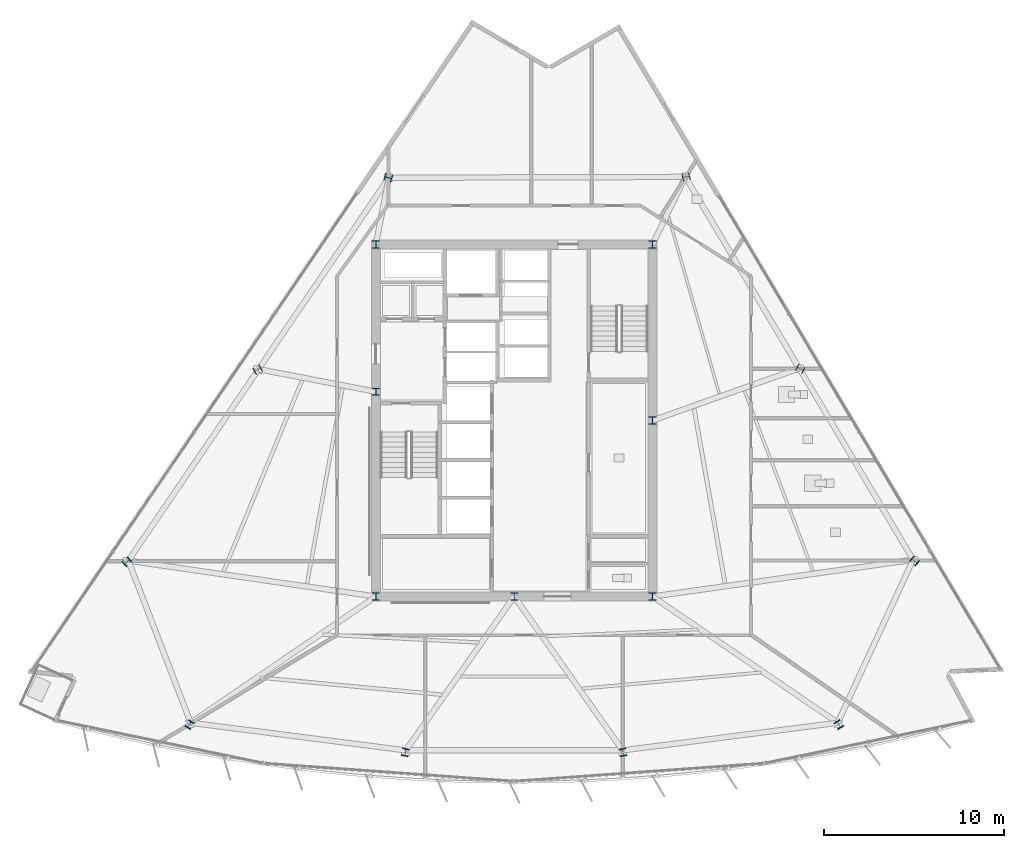
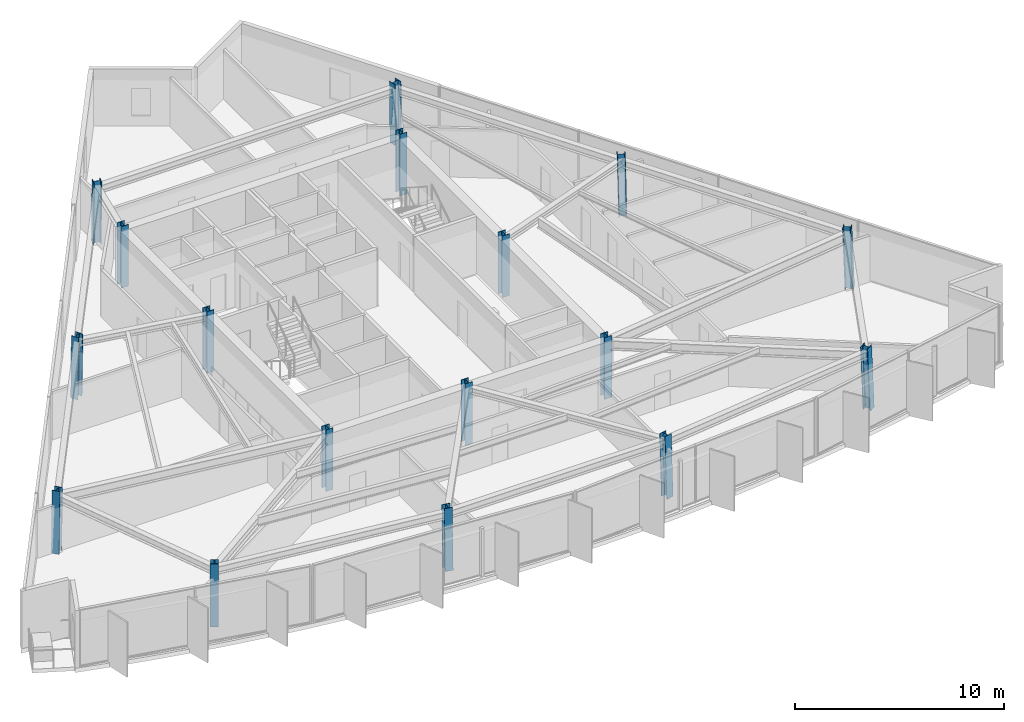
# One storey, part 1 of 15: 17 columns.
"""IFC4 building model written with IfcOpenShell, lengths in metres."""

from ifc_helpers import new_model, si_unit, direction, frame, origin, origin_2d, place, context, subcontext, project, spatial, i_section, extrude, material, material_profile, profile_set, type_object, element, save


model = new_model("IFC4")

# Units and contexts
model_context = context("Model", 3, precision=1e-05, world=origin(), true_north=direction((0.0, 1.0)))
body_context = subcontext(model_context, "Body", "Model", "MODEL_VIEW")
ifc_project = project(units=[si_unit("LENGTHUNIT", "METRE"), si_unit("AREAUNIT", "SQUARE_METRE"), si_unit("VOLUMEUNIT", "CUBIC_METRE"), si_unit("PLANEANGLEUNIT", "RADIAN"), si_unit("MASSUNIT", "GRAM", prefix="KILO")], contexts=[model_context])

# Site, building, storey
site_placement = place(None, origin())
site = spatial("IfcSite", under=ifc_project, at=site_placement, CompositionType="ELEMENT")
building_placement = place(site_placement, origin())
building = spatial("IfcBuilding", under=site, at=building_placement, Name="Savorim Split Tower", CompositionType="ELEMENT")
storey_placement = place(building_placement, frame((0.0, 0.0, 142.199951171875)))
storey = spatial("IfcBuildingStorey", under=building, at=storey_placement, Name="L37", CompositionType="ELEMENT", Elevation=142.199951171875)

# Columns
ifc_material = material(Name="Steel S460", Category="steel")
ifc_material_profile = material_profile(ifc_material, i_section(OverallWidth=0.404052734375, OverallDepth=0.406982421875, WebThickness=0.017333984375, FlangeThickness=0.028076171875, FilletRadius=0.014892578125, at=origin_2d()), Name="HD 400x347")
ifc_profile_set = profile_set([ifc_material_profile], Name="Steel S460")
column_type = type_object("IfcColumnType", Name="COL-HD-347", PredefinedType="COLUMN", material=ifc_profile_set)
for number, where, z_axis, x_axis, name in (
    (1, (-7.699951171875, -9.39990234375, 0.0), (0.0, 0.0, 1.0), (1.0, 0.0, 0.0), "L37 Core Structural Column TC-C1"),
    (2, (7.699951171875, -9.39990234375, 0.0), (0.0, 0.0, 1.0), (1.0, 0.0, 0.0), "L37 Core Structural Column TC-C2"),
    (3, (7.699951171875, 10.199951171875, 0.0), (0.0, 0.0, 1.0), (1.0, 0.0, 0.0), "L37 Core Structural Column TC-C3"),
    (4, (-7.699951171875, 10.199951171875, 0.0), (0.0, 0.0, 1.0), (1.0, 0.0, 0.0), "L37 Core Structural Column TC-C4"),
    (5, (0.0, -9.39990234375, 0.0), (0.0, 0.0, 1.0), (1.0, 0.0, 0.0), "L37 Core Structural Column TC-C5"),
    (6, (7.699951171875, 0.39990234375, 0.0), (0.0, 0.0, 1.0), (1.0, 0.0, 0.0), "L37 Core Structural Column TC-C6"),
    (7, (-7.699951171875, 2.0, 0.0), (0.0, 0.0, 1.0), (1.0, 0.0, 0.0), "L37 Core Structural Column TC-C7"),
):
    element("IfcColumn", number, at=place(storey_placement, frame(where, z_axis=z_axis, x_axis=x_axis)), inside=storey, type_object=column_type, Name=name, PredefinedType="COLUMN", context=body_context, shape_type="SweptSolid", body=[
        extrude(i_section(OverallWidth=0.404052734375, OverallDepth=0.406982421875, WebThickness=0.017333984375, FlangeThickness=0.028076171875, FilletRadius=0.014892578125, at=origin_2d()), origin(), (0.0, 0.0, 1.0), 3.60009765625),
    ])
column_1_placement = place(storey_placement, frame((-18.082763671875, -16.551513671875, 0.005615234375), z_axis=(0.021139215222, 0.034393707082, 0.999184770947), x_axis=(-0.851947232707, 0.52362764698, 0.0)))
element("IfcColumn", 8, at=column_1_placement, inside=storey, type_object=column_type, Name="L37 Tapered Perimeter Column PC-S1", PredefinedType="COLUMN", context=body_context, shape_type="SweptSolid", body=[
    extrude(i_section(OverallWidth=0.404052734375, OverallDepth=0.406982421875, WebThickness=0.017333984375, FlangeThickness=0.028076171875, FilletRadius=0.014892578125, at=origin_2d()), origin(), (0.0, 0.0, 1.0), 3.591796875),
])
for number, where, z_axis, x_axis, name in (
    (9, (-6.060546875, -18.09521484375, 0.005615234375), (0.007137984635, 0.036233769623, 0.999317848892), (-0.981142984211, 0.193283327096, 0.0), "L37 Tapered Perimeter Column PC-S2"),
    (10, (6.060546875, -18.09521484375, 0.005615234375), (-0.007137984635, 0.036233769623, 0.999317848892), (-0.981142984211, -0.193283327096, 0.0), "L37 Tapered Perimeter Column PC-S3"),
):
    element("IfcColumn", number, at=place(storey_placement, frame(where, z_axis=z_axis, x_axis=x_axis)), inside=storey, type_object=column_type, Name=name, PredefinedType="COLUMN", context=body_context, shape_type="SweptSolid", body=[
        extrude(i_section(OverallWidth=0.404052734375, OverallDepth=0.406982421875, WebThickness=0.017333984375, FlangeThickness=0.028076171875, FilletRadius=0.014892578125, at=origin_2d()), origin(), (0.0, 0.0, 1.0), 3.59130859375),
    ])
column_2_placement = place(storey_placement, frame((18.082763671875, -16.551513671875, 0.005615234375), z_axis=(-0.021139215222, 0.034393707082, 0.999184770947), x_axis=(-0.851947232707, -0.52362764698, 0.0)))
element("IfcColumn", 11, at=column_2_placement, inside=storey, type_object=column_type, Name="L37 Tapered Perimeter Column PC-S4", PredefinedType="COLUMN", context=body_context, shape_type="SweptSolid", body=[
    extrude(i_section(OverallWidth=0.404052734375, OverallDepth=0.406982421875, WebThickness=0.017333984375, FlangeThickness=0.028076171875, FilletRadius=0.014892578125, at=origin_2d()), origin(), (0.0, 0.0, 1.0), 3.591796875),
])
column_3_placement = place(storey_placement, frame((22.30078125, -7.43310546875, 0.005615234375), z_axis=(-0.026854414067, 0.022231375696, 0.99939211843), x_axis=(-0.637687438134, -0.770295223434, 0.0)))
element("IfcColumn", 12, at=column_3_placement, inside=storey, type_object=column_type, Name="L37 Tapered Perimeter Column PC-E1", PredefinedType="COLUMN", context=body_context, shape_type="SweptSolid", body=[
    extrude(i_section(OverallWidth=0.404052734375, OverallDepth=0.406982421875, WebThickness=0.017333984375, FlangeThickness=0.028076171875, FilletRadius=0.014892578125, at=origin_2d()), origin(), (0.0, 0.0, 1.0), 3.591064453125),
])
column_4_placement = place(storey_placement, frame((15.938232421875, 3.266845703125, 0.005615234375), z_axis=(-0.019383182712, 0.009793608107, 0.999764160924), x_axis=(-0.45096771224, -0.892540263807, 0.0)))
element("IfcColumn", 13, at=column_4_placement, inside=storey, type_object=column_type, Name="L37 Tapered Perimeter Column PC-E2", PredefinedType="COLUMN", context=body_context, shape_type="SweptSolid", body=[
    extrude(i_section(OverallWidth=0.404052734375, OverallDepth=0.406982421875, WebThickness=0.017333984375, FlangeThickness=0.028076171875, FilletRadius=0.014892578125, at=origin_2d()), origin(), (0.0, 0.0, 1.0), 3.589599609375),
])
for number, where, z_axis, x_axis, name in (
    (14, (9.575927734375, 13.966796875, 0.005615234375), (-0.012039901208, -0.002652859588, 0.999923998669), (0.215177531037, -0.976574948551, 0.0), "L37 Tapered Perimeter Column PC-E3"),
    (15, (-7.01025390625, 13.91796875, 0.005615234375), (0.009047216916, -0.002652943306, 0.999955553891), (0.281384988428, 0.959594960537, 0.0), "L37 Tapered Perimeter Column PC-W1"),
):
    element("IfcColumn", number, at=place(storey_placement, frame(where, z_axis=z_axis, x_axis=x_axis)), inside=storey, type_object=column_type, Name=name, PredefinedType="COLUMN", context=body_context, shape_type="SweptSolid", body=[
        extrude(i_section(OverallWidth=0.404052734375, OverallDepth=0.406982421875, WebThickness=0.017333984375, FlangeThickness=0.028076171875, FilletRadius=0.014892578125, at=origin_2d()), origin(), (0.0, 0.0, 1.0), 3.589111328125),
    ])
column_5_placement = place(storey_placement, frame((-14.2890625, 3.218017578125, 0.005615234375), z_axis=(0.017479483538, 0.009793951865, 0.999799252931), x_axis=(-0.488810085697, 0.87239022239, 0.0)))
element("IfcColumn", 16, at=column_5_placement, inside=storey, type_object=column_type, Name="L37 Tapered Perimeter Column PC-W2", PredefinedType="COLUMN", context=body_context, shape_type="SweptSolid", body=[
    extrude(i_section(OverallWidth=0.404052734375, OverallDepth=0.406982421875, WebThickness=0.017333984375, FlangeThickness=0.028076171875, FilletRadius=0.014892578125, at=origin_2d()), origin(), (0.0, 0.0, 1.0), 3.589599609375),
])
column_6_placement = place(storey_placement, frame((-21.568115234375, -7.481689453125, 0.005615234375), z_axis=(0.025971243376, 0.022163940683, 0.999416957156), x_axis=(-0.649149996291, 0.760660425102, 0.0)))
element("IfcColumn", 17, at=column_6_placement, inside=storey, type_object=column_type, Name="L37 Tapered Perimeter Column PC-W3", PredefinedType="COLUMN", context=body_context, shape_type="SweptSolid", body=[
    extrude(i_section(OverallWidth=0.404052734375, OverallDepth=0.406982421875, WebThickness=0.017333984375, FlangeThickness=0.028076171875, FilletRadius=0.014892578125, at=origin_2d()), origin(), (0.0, 0.0, 1.0), 3.591064453125),
])

save(model, "model.ifc")
